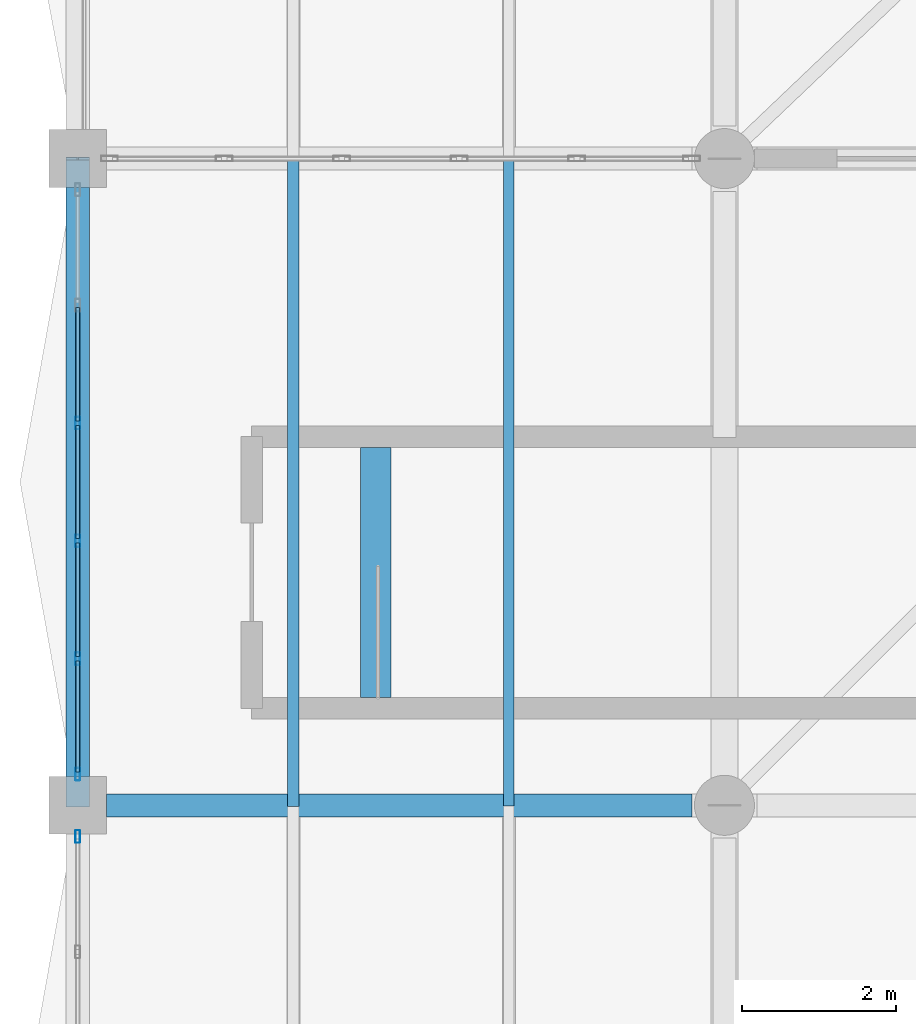
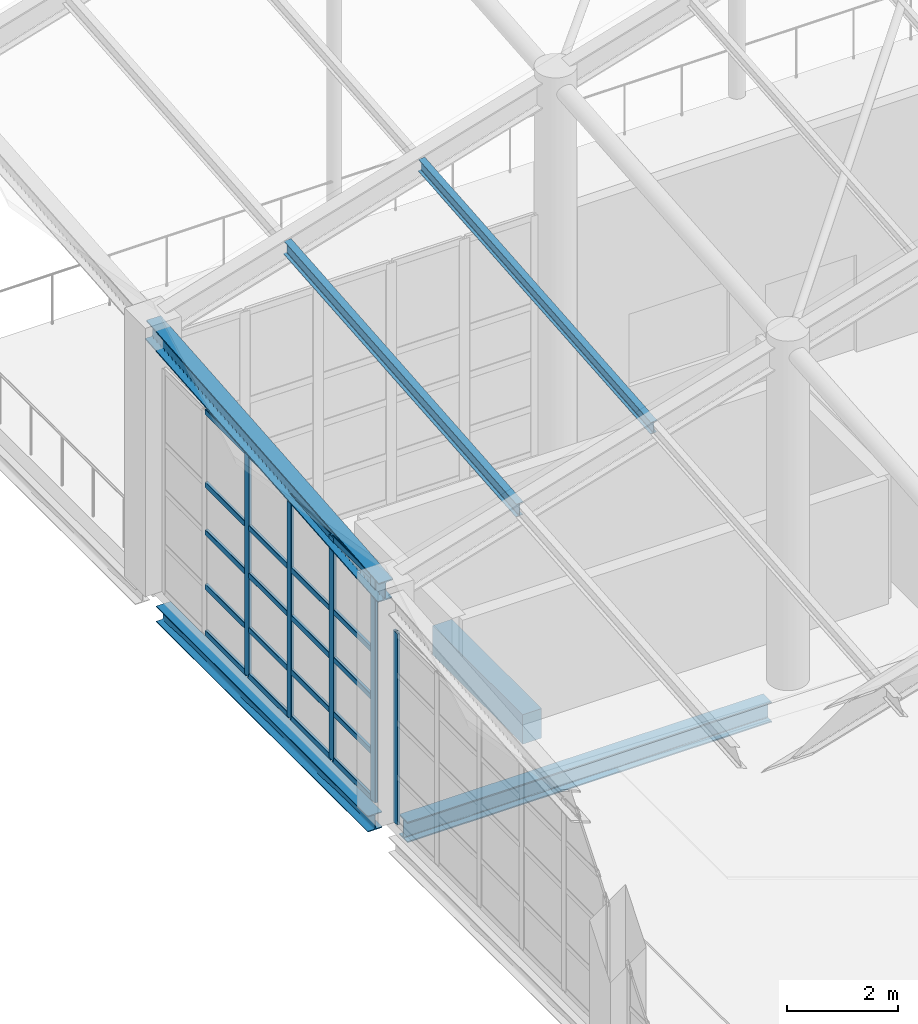
# One storey, part 43 of 95: 28 members, 3 beams, 2 elements without a shape of their own.
"""IFC4 building model written with IfcOpenShell, lengths in metres."""

from ifc_helpers import new_model, si_unit, direction, frame, origin, origin_2d, place, context, subcontext, project, spatial, rectangle, hollow_rectangle, i_section, extrude, material, layer, layer_set, material_profile, profile_set, type_object, element, aggregate, save


model = new_model("IFC4")

# Units and contexts
model_context = context("Model", 3, precision=1e-05, world=origin(), true_north=direction((0.0, 1.0)))
body_context = subcontext(model_context, "Body", "Model", "MODEL_VIEW")
ifc_project = project(units=[si_unit("LENGTHUNIT", "METRE"), si_unit("AREAUNIT", "SQUARE_METRE"), si_unit("VOLUMEUNIT", "CUBIC_METRE"), si_unit("PLANEANGLEUNIT", "RADIAN"), si_unit("MASSUNIT", "GRAM", prefix="KILO"), si_unit("THERMODYNAMICTEMPERATUREUNIT", "KELVIN"), si_unit("POWERUNIT", "WATT")], contexts=[model_context])

# Site, building, storey
site_placement = place(None, origin())
site = spatial("IfcSite", under=ifc_project, at=site_placement, CompositionType="ELEMENT")
building_placement = place(site_placement, origin())
building = spatial("IfcBuilding", under=site, at=building_placement, Name="Mavoryth Pier Ferry Terminal", CompositionType="ELEMENT")
storey_placement = place(building_placement, frame((0.0, 0.0, 9.60009765625)))
storey = spatial("IfcBuildingStorey", under=building, at=storey_placement, Name="L02", CompositionType="ELEMENT", Elevation=9.60009765625)

# Beam
ifc_material_1 = material(Name="Steel S355J2", Category="steel")
ifc_material_profile_1 = material_profile(ifc_material_1, i_section(OverallWidth=0.300048828125, OverallDepth=0.449951171875, WebThickness=0.013916015625, FlangeThickness=0.02587890625, FilletRadius=0.027099609375, at=origin_2d()), Name="HEB 450", Category="steel")
ifc_profile_set_1 = profile_set([ifc_material_profile_1], Name="Steel S355J2 - HEB 450")
beam_type_1 = type_object("IfcBeamType", Name="Beam-Steel-HEB450", PredefinedType="BEAM", material=ifc_profile_set_1)
beam_1_placement = place(storey_placement, frame((0.375, 97.60009765625, -0.505126953125), z_axis=(1.0, 0.0, 0.0), x_axis=(0.0, 1.0, 0.0)))
element("IfcBeam", 1, at=beam_1_placement, inside=storey, type_object=beam_type_1, Name="Beam B02-SB02-0616", PredefinedType="BEAM", context=body_context, shape_type="SweptSolid", body=[
    extrude(i_section(OverallWidth=0.300048828125, OverallDepth=0.449951171875, WebThickness=0.013916015625, FlangeThickness=0.02587890625, FilletRadius=0.027099609375, at=origin_2d()), origin(), (0.0, 0.0, 1.0), 7.60009765625),
])

# Member
ifc_material_profile_2 = material_profile(ifc_material_1, i_section(OverallWidth=0.300048828125, OverallDepth=0.449951171875, WebThickness=0.013916015625, FlangeThickness=0.02587890625, FilletRadius=0.027099609375, at=origin_2d()), Name="HEB 450", Category="steel")
ifc_profile_set_2 = profile_set([ifc_material_profile_2], Name="Steel S355J2 - HEB 450")
member_type_1 = type_object("IfcMemberType", Name="Chord-Eave-HEB450", PredefinedType="CHORD", material=ifc_profile_set_2)
member_1_placement = place(storey_placement, frame((0.0, 97.60009765625, 4.872314453125), z_axis=(0.0, 0.996405760474, 0.084708680154), x_axis=(-1.0, 0.0, 0.0)))
element("IfcMember", 2, at=member_1_placement, inside=storey, type_object=member_type_1, Name="Steel Member MB-L02-0160", PredefinedType="CHORD", context=body_context, shape_type="SweptSolid", body=[
    extrude(i_section(OverallWidth=0.300048828125, OverallDepth=0.449951171875, WebThickness=0.013916015625, FlangeThickness=0.02587890625, FilletRadius=0.027099609375, at=origin_2d()), origin(), (0.0, 0.0, 1.0), 8.43017578125),
])

# Beam
ifc_material_2 = material(Name="Concrete C35/45", Category="concrete")
ifc_material_profile_3 = material_profile(ifc_material_2, rectangle(XDim=0.39990234375, YDim=0.64990234375, at=origin_2d()), Name="RC 400x650", Category="concrete")
ifc_profile_set_3 = profile_set([ifc_material_profile_3], Name="Concrete C35/45 - RC 400x650")
beam_type_2 = type_object("IfcBeamType", Name="Girder-RC-400x650", PredefinedType="BEAM", material=ifc_profile_set_3)
beam_2_placement = place(storey_placement, frame((3.8701171875, 99.0, -0.3251953125), z_axis=(0.0, 1.0, 0.0), x_axis=(-1.0, 0.0, 0.0)))
element("IfcBeam", 3, at=beam_2_placement, inside=storey, type_object=beam_type_2, Name="Beam B02-BG05-1570", PredefinedType="BEAM", context=body_context, shape_type="SweptSolid", body=[
    extrude(rectangle(XDim=0.39990234375, YDim=0.64990234375, at=origin_2d()), origin(), (0.0, 0.0, 1.0), 3.25),
])

# Curtain wall, member
ifc_material_3 = material(Name="Anodised Aluminium and Solar-Control Low-E Glass", Category="aluminium")
ifc_layer = layer(ifc_material_3, 0.179931640625, Name="Anodised Aluminium and Solar-Control Low-E Glass", Category="aluminium")
ifc_layer_set = layer_set([ifc_layer], Name="Anodised Aluminium and Solar-Control Low-E Glass - CW-Concourse-Mod1400")
curtain_wall_type = type_object("IfcCurtainWallType", Name="CW-Concourse-Mod1400", PredefinedType="USERDEFINED", material=ifc_layer_set)
curtain_wall_1_placement = place(storey_placement, origin())
curtain_wall_1 = element("IfcCurtainWall", 4, at=curtain_wall_1_placement, inside=storey, type_object=curtain_wall_type, Name="Curtain Wall CW-0222-028", ObjectType="UNITISED CURTAIN WALL", PredefinedType="USERDEFINED")
ifc_material_4 = material(Name="Anodised Aluminium EN AW-6063", Category="aluminium")
ifc_material_profile_4 = material_profile(ifc_material_4, hollow_rectangle(XDim=0.06005859375, YDim=0.1650390625, WallThickness=0.00390625, InnerFilletRadius=0.00390625, OuterFilletRadius=0.008056640625, at=origin_2d()), Name="AL-MULL 165x60x4", Category="aluminium")
ifc_profile_set_4 = profile_set([ifc_material_profile_4], Name="Anodised Aluminium EN AW-6063 - AL-MULL 165x60x4")
member_type_2 = type_object("IfcMemberType", Name="Mullion-Alum-165x60", PredefinedType="MULLION", material=ifc_profile_set_4)
member_2_placement = place(storey_placement, frame((0.0, 97.195068359375, 0.0), z_axis=(0.0, 0.0, 1.0), x_axis=(1.0, 0.0, 0.0)))
member_2 = element("IfcMember", 5, at=member_2_placement, type_object=member_type_2, Name="CW01 mullion 1", PredefinedType="MULLION", context=body_context, shape_type="SweptSolid", body=[
    extrude(hollow_rectangle(XDim=0.06005859375, YDim=0.1650390625, WallThickness=0.00390625, InnerFilletRadius=0.00390625, OuterFilletRadius=0.008056640625, at=origin_2d()), origin(), (0.0, 0.0, 1.0), 4.2216796875),
])
aggregate(curtain_wall_1, [member_2])

# Curtain wall, members
curtain_wall_2_placement = place(storey_placement, origin())
curtain_wall_2 = element("IfcCurtainWall", 6, at=curtain_wall_2_placement, inside=storey, type_object=curtain_wall_type, Name="Curtain Wall CW-0222-034", ObjectType="UNITISED CURTAIN WALL", PredefinedType="USERDEFINED")
member_3_placement = place(storey_placement, frame((0.0, 102.56494140625, 0.0), z_axis=(0.0, 0.0, 1.0), x_axis=(1.0, 0.0, 0.0)))
member_3 = element("IfcMember", 7, at=member_3_placement, type_object=member_type_2, Name="CW01 mullion 3", PredefinedType="MULLION", context=body_context, shape_type="SweptSolid", body=[
    extrude(hollow_rectangle(XDim=0.06005859375, YDim=0.1650390625, WallThickness=0.00390625, InnerFilletRadius=0.00390625, OuterFilletRadius=0.008056640625, at=origin_2d()), origin(), (0.0, 0.0, 1.0), 4.93603515625),
])
member_4_placement = place(storey_placement, frame((0.0, 101.034912109375, 0.0), z_axis=(0.0, 0.0, 1.0), x_axis=(1.0, 0.0, 0.0)))
member_4 = element("IfcMember", 8, at=member_4_placement, type_object=member_type_2, Name="CW01 mullion 4", PredefinedType="MULLION", context=body_context, shape_type="SweptSolid", body=[
    extrude(hollow_rectangle(XDim=0.06005859375, YDim=0.1650390625, WallThickness=0.00390625, InnerFilletRadius=0.00390625, OuterFilletRadius=0.008056640625, at=origin_2d()), origin(), (0.0, 0.0, 1.0), 4.93603515625),
])
member_5_placement = place(storey_placement, frame((0.0, 99.5048828125, 0.0), z_axis=(0.0, 0.0, 1.0), x_axis=(1.0, 0.0, 0.0)))
member_5 = element("IfcMember", 9, at=member_5_placement, type_object=member_type_2, Name="CW01 mullion 5", PredefinedType="MULLION", context=body_context, shape_type="SweptSolid", body=[
    extrude(hollow_rectangle(XDim=0.06005859375, YDim=0.1650390625, WallThickness=0.00390625, InnerFilletRadius=0.00390625, OuterFilletRadius=0.008056640625, at=origin_2d()), origin(), (0.0, 0.0, 1.0), 4.93603515625),
])
member_6_placement = place(storey_placement, frame((0.0, 98.0048828125, 0.0), z_axis=(0.0, 0.0, 1.0), x_axis=(1.0, 0.0, 0.0)))
member_6 = element("IfcMember", 10, at=member_6_placement, type_object=member_type_2, Name="CW01 mullion 6", PredefinedType="MULLION", context=body_context, shape_type="SweptSolid", body=[
    extrude(hollow_rectangle(XDim=0.06005859375, YDim=0.1650390625, WallThickness=0.00390625, InnerFilletRadius=0.00390625, OuterFilletRadius=0.008056640625, at=origin_2d()), origin(), (0.0, 0.0, 1.0), 4.93603515625),
])

# Members
ifc_material_profile_5 = material_profile(ifc_material_1, i_section(OverallWidth=0.135009765625, OverallDepth=0.27001953125, WebThickness=0.006591796875, FlangeThickness=0.01025390625, FilletRadius=0.014892578125, at=origin_2d()), Name="IPE 270", Category="steel")
ifc_profile_set_5 = profile_set([ifc_material_profile_5], Name="Steel S355J2 - IPE 270")
member_type_3 = type_object("IfcMemberType", Name="Purlin-Roof-IPE270", PredefinedType="PURLIN", material=ifc_profile_set_5)
member_7_placement = place(storey_placement, frame((5.60009765625, 97.60009765625, 6.517822265625), z_axis=(0.0, 0.996405760474, 0.084708680154), x_axis=(-1.0, 0.0, 0.0)))
element("IfcMember", 11, at=member_7_placement, inside=storey, type_object=member_type_3, Name="Steel Member MB-L02-0166", PredefinedType="PURLIN", context=body_context, shape_type="SweptSolid", body=[
    extrude(i_section(OverallWidth=0.135009765625, OverallDepth=0.27001953125, WebThickness=0.006591796875, FlangeThickness=0.01025390625, FilletRadius=0.014892578125, at=origin_2d()), origin(), (0.0, 0.0, 1.0), 8.43017578125),
])
ifc_material_profile_6 = material_profile(ifc_material_1, i_section(OverallWidth=0.14990234375, OverallDepth=0.300048828125, WebThickness=0.007080078125, FlangeThickness=0.0107421875, FilletRadius=0.014892578125, at=origin_2d()), Name="IPE 300", Category="steel")
ifc_profile_set_6 = profile_set([ifc_material_profile_6], Name="Steel S355J2 - IPE 300")
member_type_4 = type_object("IfcMemberType", Name="Purlin-Roof-IPE300", PredefinedType="PURLIN", material=ifc_profile_set_6)
member_8_placement = place(storey_placement, frame((2.800048828125, 97.60009765625, 5.684814453125), z_axis=(0.0, 0.996400870108, 0.084766184584), x_axis=(-1.0, 0.0, 0.0)))
element("IfcMember", 12, at=member_8_placement, inside=storey, type_object=member_type_4, Name="Steel Member MB-L02-0165", PredefinedType="PURLIN", context=body_context, shape_type="SweptSolid", body=[
    extrude(i_section(OverallWidth=0.14990234375, OverallDepth=0.300048828125, WebThickness=0.007080078125, FlangeThickness=0.0107421875, FilletRadius=0.014892578125, at=origin_2d()), origin(), (0.0, 0.0, 1.0), 8.43017578125),
])

# Beam
ifc_material_profile_7 = material_profile(ifc_material_1, i_section(OverallWidth=0.300048828125, OverallDepth=0.35009765625, WebThickness=0.010009765625, FlangeThickness=0.017578125, FilletRadius=0.027099609375, at=origin_2d()), Name="HEA 360", Category="steel")
ifc_profile_set_7 = profile_set([ifc_material_profile_7], Name="Steel S355J2 - HEA 360")
beam_type_3 = type_object("IfcBeamType", Name="Spandrel-Steel-HEA360", PredefinedType="SPANDREL", material=ifc_profile_set_7)
beam_3_placement = place(storey_placement, frame((0.0, 97.97509765625, -0.455078125), z_axis=(0.0, 1.0, 0.0), x_axis=(-1.0, 0.0, 0.0)))
element("IfcBeam", 13, at=beam_3_placement, inside=storey, type_object=beam_type_3, Name="Beam B02-SP03-0631", PredefinedType="SPANDREL", context=body_context, shape_type="SweptSolid", body=[
    extrude(i_section(OverallWidth=0.300048828125, OverallDepth=0.35009765625, WebThickness=0.010009765625, FlangeThickness=0.017578125, FilletRadius=0.027099609375, at=origin_2d()), origin(), (0.0, 0.0, 1.0), 7.64990234375),
])

# Member
ifc_material_profile_8 = material_profile(ifc_material_4, hollow_rectangle(XDim=0.06005859375, YDim=0.125, WallThickness=0.00390625, InnerFilletRadius=0.00390625, OuterFilletRadius=0.008056640625, at=origin_2d()), Name="AL-TRAN 125x60x4", Category="aluminium")
ifc_profile_set_8 = profile_set([ifc_material_profile_8], Name="Anodised Aluminium EN AW-6063 - AL-TRAN 125x60x4")
member_type_5 = type_object("IfcMemberType", Name="Transom-Alum-125x60", PredefinedType="USERDEFINED", material=ifc_profile_set_8)
member_9_placement = place(storey_placement, frame((0.0, 104.06494140625, 0.02978515625), z_axis=(0.0, -1.0, 0.0), x_axis=(1.0, 0.0, 0.0)))
member_9 = element("IfcMember", 14, at=member_9_placement, type_object=member_type_5, Name="CW01 transom 2.1", ObjectType="TRANSOM", PredefinedType="USERDEFINED", context=body_context, shape_type="SweptSolid", body=[
    extrude(hollow_rectangle(XDim=0.06005859375, YDim=0.125, WallThickness=0.00390625, InnerFilletRadius=0.00390625, OuterFilletRadius=0.008056640625, at=origin_2d()), origin(), (0.0, 0.0, 1.0), 1.469970703125),
])

member_10_placement = place(storey_placement, frame((0.0, 104.06494140625, 1.0498046875), z_axis=(0.0, -1.0, 0.0), x_axis=(1.0, 0.0, 0.0)))
member_10 = element("IfcMember", 15, at=member_10_placement, type_object=member_type_5, Name="CW01 transom 2.2", ObjectType="TRANSOM", PredefinedType="USERDEFINED", context=body_context, shape_type="SweptSolid", body=[
    extrude(hollow_rectangle(XDim=0.06005859375, YDim=0.125, WallThickness=0.00390625, InnerFilletRadius=0.00390625, OuterFilletRadius=0.008056640625, at=origin_2d()), origin(), (0.0, 0.0, 1.0), 1.469970703125),
])

member_11_placement = place(storey_placement, frame((0.0, 104.06494140625, 2.25), z_axis=(0.0, -1.0, 0.0), x_axis=(1.0, 0.0, 0.0)))
member_11 = element("IfcMember", 16, at=member_11_placement, type_object=member_type_5, Name="CW01 transom 2.3", ObjectType="TRANSOM", PredefinedType="USERDEFINED", context=body_context, shape_type="SweptSolid", body=[
    extrude(hollow_rectangle(XDim=0.06005859375, YDim=0.125, WallThickness=0.00390625, InnerFilletRadius=0.00390625, OuterFilletRadius=0.008056640625, at=origin_2d()), origin(), (0.0, 0.0, 1.0), 1.469970703125),
])

member_12_placement = place(storey_placement, frame((0.0, 104.06494140625, 3.2998046875), z_axis=(0.0, -1.0, 0.0), x_axis=(1.0, 0.0, 0.0)))
member_12 = element("IfcMember", 17, at=member_12_placement, type_object=member_type_5, Name="CW01 transom 2.4", ObjectType="TRANSOM", PredefinedType="USERDEFINED", context=body_context, shape_type="SweptSolid", body=[
    extrude(hollow_rectangle(XDim=0.06005859375, YDim=0.125, WallThickness=0.00390625, InnerFilletRadius=0.00390625, OuterFilletRadius=0.008056640625, at=origin_2d()), origin(), (0.0, 0.0, 1.0), 1.469970703125),
])

member_13_placement = place(storey_placement, frame((0.0, 104.06494140625, 4.906005859375), z_axis=(0.0, -1.0, 0.0), x_axis=(1.0, 0.0, 0.0)))
member_13 = element("IfcMember", 18, at=member_13_placement, type_object=member_type_5, Name="CW01 transom 2.5", ObjectType="TRANSOM", PredefinedType="USERDEFINED", context=body_context, shape_type="SweptSolid", body=[
    extrude(hollow_rectangle(XDim=0.06005859375, YDim=0.125, WallThickness=0.00390625, InnerFilletRadius=0.00390625, OuterFilletRadius=0.008056640625, at=origin_2d()), origin(), (0.0, 0.0, 1.0), 1.469970703125),
])

member_14_placement = place(storey_placement, frame((0.0, 102.534912109375, 0.02978515625), z_axis=(0.0, -1.0, 0.0), x_axis=(1.0, 0.0, 0.0)))
member_14 = element("IfcMember", 19, at=member_14_placement, type_object=member_type_5, Name="CW01 transom 3.1", ObjectType="TRANSOM", PredefinedType="USERDEFINED", context=body_context, shape_type="SweptSolid", body=[
    extrude(hollow_rectangle(XDim=0.06005859375, YDim=0.125, WallThickness=0.00390625, InnerFilletRadius=0.00390625, OuterFilletRadius=0.008056640625, at=origin_2d()), origin(), (0.0, 0.0, 1.0), 1.469970703125),
])

member_15_placement = place(storey_placement, frame((0.0, 102.534912109375, 1.0498046875), z_axis=(0.0, -1.0, 0.0), x_axis=(1.0, 0.0, 0.0)))
member_15 = element("IfcMember", 20, at=member_15_placement, type_object=member_type_5, Name="CW01 transom 3.2", ObjectType="TRANSOM", PredefinedType="USERDEFINED", context=body_context, shape_type="SweptSolid", body=[
    extrude(hollow_rectangle(XDim=0.06005859375, YDim=0.125, WallThickness=0.00390625, InnerFilletRadius=0.00390625, OuterFilletRadius=0.008056640625, at=origin_2d()), origin(), (0.0, 0.0, 1.0), 1.469970703125),
])

member_16_placement = place(storey_placement, frame((0.0, 102.534912109375, 2.25), z_axis=(0.0, -1.0, 0.0), x_axis=(1.0, 0.0, 0.0)))
member_16 = element("IfcMember", 21, at=member_16_placement, type_object=member_type_5, Name="CW01 transom 3.3", ObjectType="TRANSOM", PredefinedType="USERDEFINED", context=body_context, shape_type="SweptSolid", body=[
    extrude(hollow_rectangle(XDim=0.06005859375, YDim=0.125, WallThickness=0.00390625, InnerFilletRadius=0.00390625, OuterFilletRadius=0.008056640625, at=origin_2d()), origin(), (0.0, 0.0, 1.0), 1.469970703125),
])

member_17_placement = place(storey_placement, frame((0.0, 102.534912109375, 3.2998046875), z_axis=(0.0, -1.0, 0.0), x_axis=(1.0, 0.0, 0.0)))
member_17 = element("IfcMember", 22, at=member_17_placement, type_object=member_type_5, Name="CW01 transom 3.4", ObjectType="TRANSOM", PredefinedType="USERDEFINED", context=body_context, shape_type="SweptSolid", body=[
    extrude(hollow_rectangle(XDim=0.06005859375, YDim=0.125, WallThickness=0.00390625, InnerFilletRadius=0.00390625, OuterFilletRadius=0.008056640625, at=origin_2d()), origin(), (0.0, 0.0, 1.0), 1.469970703125),
])

member_18_placement = place(storey_placement, frame((0.0, 102.534912109375, 4.906005859375), z_axis=(0.0, -1.0, 0.0), x_axis=(1.0, 0.0, 0.0)))
member_18 = element("IfcMember", 23, at=member_18_placement, type_object=member_type_5, Name="CW01 transom 3.5", ObjectType="TRANSOM", PredefinedType="USERDEFINED", context=body_context, shape_type="SweptSolid", body=[
    extrude(hollow_rectangle(XDim=0.06005859375, YDim=0.125, WallThickness=0.00390625, InnerFilletRadius=0.00390625, OuterFilletRadius=0.008056640625, at=origin_2d()), origin(), (0.0, 0.0, 1.0), 1.469970703125),
])

member_19_placement = place(storey_placement, frame((0.0, 101.0048828125, 0.02978515625), z_axis=(0.0, -1.0, 0.0), x_axis=(1.0, 0.0, 0.0)))
member_19 = element("IfcMember", 24, at=member_19_placement, type_object=member_type_5, Name="CW01 transom 4.1", ObjectType="TRANSOM", PredefinedType="USERDEFINED", context=body_context, shape_type="SweptSolid", body=[
    extrude(hollow_rectangle(XDim=0.06005859375, YDim=0.125, WallThickness=0.00390625, InnerFilletRadius=0.00390625, OuterFilletRadius=0.008056640625, at=origin_2d()), origin(), (0.0, 0.0, 1.0), 1.469970703125),
])

member_20_placement = place(storey_placement, frame((0.0, 101.0048828125, 1.0498046875), z_axis=(0.0, -1.0, 0.0), x_axis=(1.0, 0.0, 0.0)))
member_20 = element("IfcMember", 25, at=member_20_placement, type_object=member_type_5, Name="CW01 transom 4.2", ObjectType="TRANSOM", PredefinedType="USERDEFINED", context=body_context, shape_type="SweptSolid", body=[
    extrude(hollow_rectangle(XDim=0.06005859375, YDim=0.125, WallThickness=0.00390625, InnerFilletRadius=0.00390625, OuterFilletRadius=0.008056640625, at=origin_2d()), origin(), (0.0, 0.0, 1.0), 1.469970703125),
])

member_21_placement = place(storey_placement, frame((0.0, 101.0048828125, 2.25), z_axis=(0.0, -1.0, 0.0), x_axis=(1.0, 0.0, 0.0)))
member_21 = element("IfcMember", 26, at=member_21_placement, type_object=member_type_5, Name="CW01 transom 4.3", ObjectType="TRANSOM", PredefinedType="USERDEFINED", context=body_context, shape_type="SweptSolid", body=[
    extrude(hollow_rectangle(XDim=0.06005859375, YDim=0.125, WallThickness=0.00390625, InnerFilletRadius=0.00390625, OuterFilletRadius=0.008056640625, at=origin_2d()), origin(), (0.0, 0.0, 1.0), 1.469970703125),
])

member_22_placement = place(storey_placement, frame((0.0, 101.0048828125, 3.2998046875), z_axis=(0.0, -1.0, 0.0), x_axis=(1.0, 0.0, 0.0)))
member_22 = element("IfcMember", 27, at=member_22_placement, type_object=member_type_5, Name="CW01 transom 4.4", ObjectType="TRANSOM", PredefinedType="USERDEFINED", context=body_context, shape_type="SweptSolid", body=[
    extrude(hollow_rectangle(XDim=0.06005859375, YDim=0.125, WallThickness=0.00390625, InnerFilletRadius=0.00390625, OuterFilletRadius=0.008056640625, at=origin_2d()), origin(), (0.0, 0.0, 1.0), 1.469970703125),
])

member_23_placement = place(storey_placement, frame((0.0, 101.0048828125, 4.906005859375), z_axis=(0.0, -1.0, 0.0), x_axis=(1.0, 0.0, 0.0)))
member_23 = element("IfcMember", 28, at=member_23_placement, type_object=member_type_5, Name="CW01 transom 4.5", ObjectType="TRANSOM", PredefinedType="USERDEFINED", context=body_context, shape_type="SweptSolid", body=[
    extrude(hollow_rectangle(XDim=0.06005859375, YDim=0.125, WallThickness=0.00390625, InnerFilletRadius=0.00390625, OuterFilletRadius=0.008056640625, at=origin_2d()), origin(), (0.0, 0.0, 1.0), 1.469970703125),
])

member_24_placement = place(storey_placement, frame((0.0, 99.47509765625, 0.02978515625), z_axis=(0.0, -1.0, 0.0), x_axis=(1.0, 0.0, 0.0)))
member_24 = element("IfcMember", 29, at=member_24_placement, type_object=member_type_5, Name="CW01 transom 5.1", ObjectType="TRANSOM", PredefinedType="USERDEFINED", context=body_context, shape_type="SweptSolid", body=[
    extrude(hollow_rectangle(XDim=0.06005859375, YDim=0.125, WallThickness=0.00390625, InnerFilletRadius=0.00390625, OuterFilletRadius=0.008056640625, at=origin_2d()), origin(), (0.0, 0.0, 1.0), 1.440185546875),
])

member_25_placement = place(storey_placement, frame((0.0, 99.47509765625, 1.0498046875), z_axis=(0.0, -1.0, 0.0), x_axis=(1.0, 0.0, 0.0)))
member_25 = element("IfcMember", 30, at=member_25_placement, type_object=member_type_5, Name="CW01 transom 5.2", ObjectType="TRANSOM", PredefinedType="USERDEFINED", context=body_context, shape_type="SweptSolid", body=[
    extrude(hollow_rectangle(XDim=0.06005859375, YDim=0.125, WallThickness=0.00390625, InnerFilletRadius=0.00390625, OuterFilletRadius=0.008056640625, at=origin_2d()), origin(), (0.0, 0.0, 1.0), 1.440185546875),
])

member_26_placement = place(storey_placement, frame((0.0, 99.47509765625, 2.25), z_axis=(0.0, -1.0, 0.0), x_axis=(1.0, 0.0, 0.0)))
member_26 = element("IfcMember", 31, at=member_26_placement, type_object=member_type_5, Name="CW01 transom 5.3", ObjectType="TRANSOM", PredefinedType="USERDEFINED", context=body_context, shape_type="SweptSolid", body=[
    extrude(hollow_rectangle(XDim=0.06005859375, YDim=0.125, WallThickness=0.00390625, InnerFilletRadius=0.00390625, OuterFilletRadius=0.008056640625, at=origin_2d()), origin(), (0.0, 0.0, 1.0), 1.440185546875),
])

member_27_placement = place(storey_placement, frame((0.0, 99.47509765625, 3.2998046875), z_axis=(0.0, -1.0, 0.0), x_axis=(1.0, 0.0, 0.0)))
member_27 = element("IfcMember", 32, at=member_27_placement, type_object=member_type_5, Name="CW01 transom 5.4", ObjectType="TRANSOM", PredefinedType="USERDEFINED", context=body_context, shape_type="SweptSolid", body=[
    extrude(hollow_rectangle(XDim=0.06005859375, YDim=0.125, WallThickness=0.00390625, InnerFilletRadius=0.00390625, OuterFilletRadius=0.008056640625, at=origin_2d()), origin(), (0.0, 0.0, 1.0), 1.440185546875),
])

member_28_placement = place(storey_placement, frame((0.0, 99.47509765625, 4.906005859375), z_axis=(0.0, -1.0, 0.0), x_axis=(1.0, 0.0, 0.0)))
member_28 = element("IfcMember", 33, at=member_28_placement, type_object=member_type_5, Name="CW01 transom 5.5", ObjectType="TRANSOM", PredefinedType="USERDEFINED", context=body_context, shape_type="SweptSolid", body=[
    extrude(hollow_rectangle(XDim=0.06005859375, YDim=0.125, WallThickness=0.00390625, InnerFilletRadius=0.00390625, OuterFilletRadius=0.008056640625, at=origin_2d()), origin(), (0.0, 0.0, 1.0), 1.440185546875),
])

aggregate(curtain_wall_2, [member_3, member_4, member_5, member_6, member_9, member_10, member_11, member_12, member_13, member_14, member_15, member_16, member_17, member_18, member_19, member_20, member_21, member_22, member_23, member_24, member_25, member_26, member_27, member_28])

save(model, "model.ifc")
